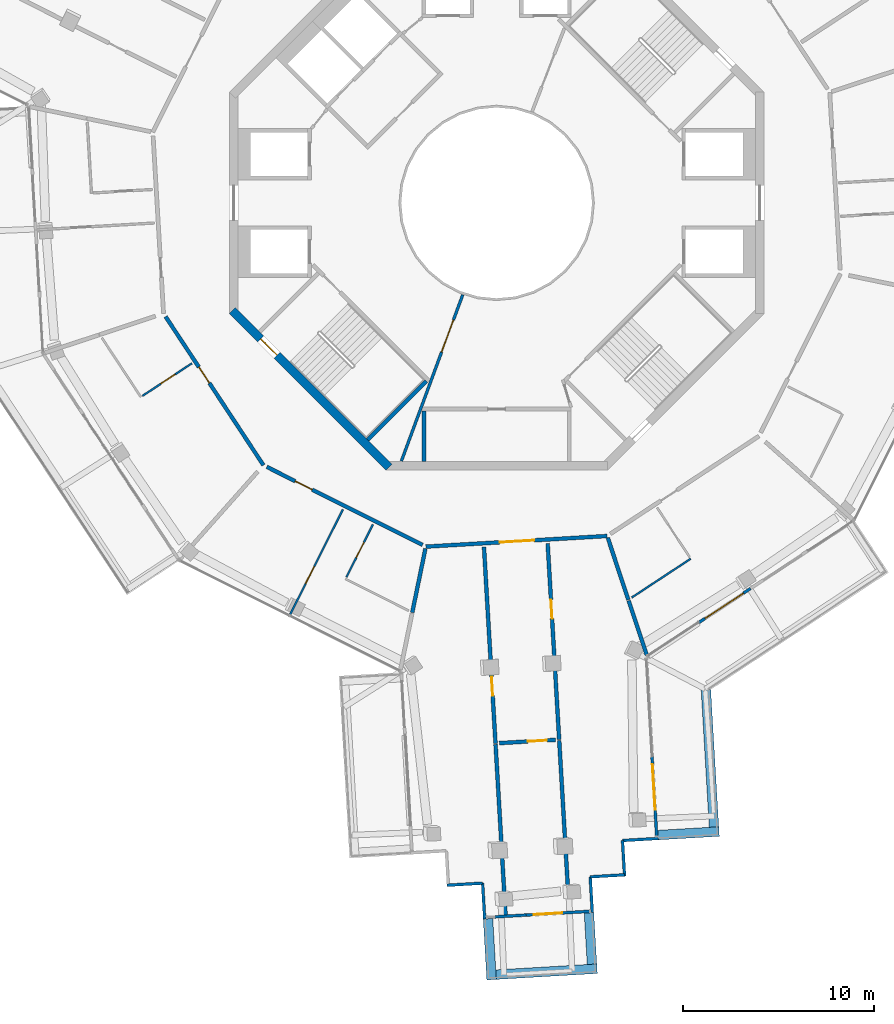
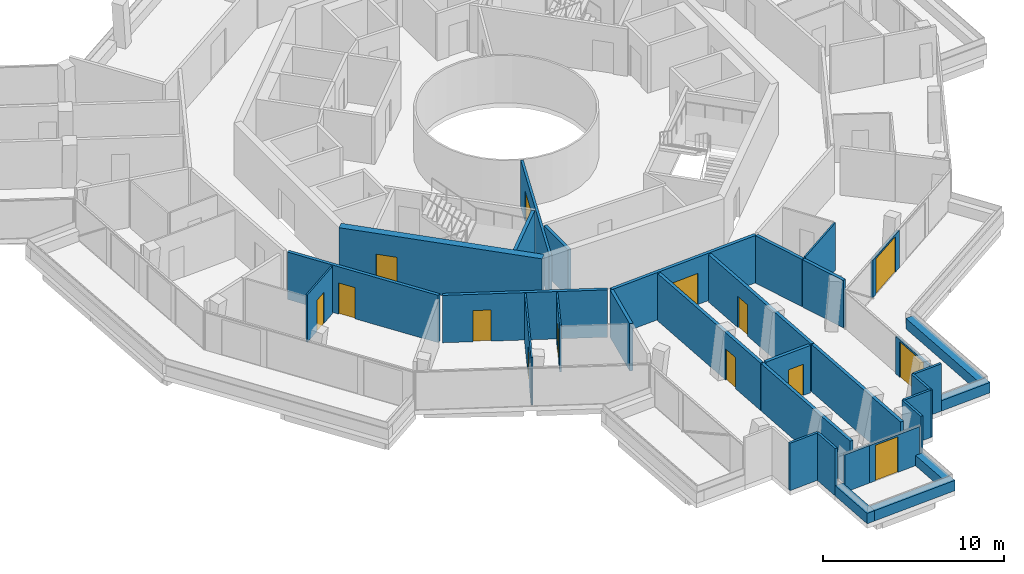
# One storey, part 18 of 26: 34 walls, 14 doors, 14 openings.
"""IFC4 building model written with IfcOpenShell, lengths in metres."""

from ifc_helpers import new_model, si_unit, direction, frame, frame_2d, origin, place, context, subcontext, project, spatial, rectangle, extrude, material, layer, layer_set, type_object, element, fill, save


model = new_model("IFC4")

# Units and contexts
model_context = context("Model", 3, precision=1e-05, world=origin(), true_north=direction((0.0, 1.0)))
body_context = subcontext(model_context, "Body", "Model", "MODEL_VIEW")
ifc_project = project(units=[si_unit("LENGTHUNIT", "METRE"), si_unit("AREAUNIT", "SQUARE_METRE"), si_unit("VOLUMEUNIT", "CUBIC_METRE"), si_unit("PLANEANGLEUNIT", "RADIAN"), si_unit("MASSUNIT", "GRAM", prefix="KILO")], contexts=[model_context])

# Site, building, storey
site_placement = place(None, origin())
site = spatial("IfcSite", under=ifc_project, at=site_placement, CompositionType="ELEMENT")
building_placement = place(site_placement, origin())
building = spatial("IfcBuilding", under=site, at=building_placement, Name="Verdalira Terraces Hotel", CompositionType="ELEMENT")
storey_placement = place(building_placement, frame((0.0, 0.0, 291.5)))
storey = spatial("IfcBuildingStorey", under=building, at=storey_placement, Name="L72", CompositionType="ELEMENT", Elevation=291.5)

# Walls
ifc_material_1 = material(Name="Concrete C40", Category="concrete")
ifc_layer_1 = layer(ifc_material_1, 0.5)
ifc_layer_set_1 = layer_set([ifc_layer_1], Name="Balcony planter trough with tree")
wall_type_1 = type_object("IfcWallType", Name="Balcony planter trough with tree", PredefinedType="SOLIDWALL", material=ifc_layer_set_1)
wall_1_placement = place(storey_placement, frame((-0.453125, -37.497803, 0.0), z_axis=(0.0, 0.0, 1.0), x_axis=(0.05861018, -0.998280946, 0.0)))
element("IfcWall", 1, at=wall_1_placement, inside=storey, type_object=wall_type_1, Name="Balcony planter", PredefinedType="SOLIDWALL", context=body_context, shape_type="SweptSolid", body=[
    extrude(rectangle(XDim=3.199219, YDim=0.5, at=frame_2d((1.599609, 0.0))), origin(), (0.0, 0.0, 1.0), 0.699951),
])
wall_2_placement = place(storey_placement, frame((-0.030762, -40.427002, 0.0), z_axis=(0.0, 0.0, 1.0), x_axis=(0.998281989, 0.058592409, 0.0)))
element("IfcWall", 2, at=wall_2_placement, inside=storey, type_object=wall_type_1, Name="Balcony planter", PredefinedType="SOLIDWALL", context=body_context, shape_type="SweptSolid", body=[
    extrude(rectangle(XDim=5.300049, YDim=0.5, at=frame_2d((2.649902, 0.0))), origin(), (0.0, 0.0, 1.0), 0.699951),
])
wall_3_placement = place(storey_placement, frame((4.996094, -39.881592, 0.0), z_axis=(0.0, 0.0, 1.0), x_axis=(-0.058615969, 0.998280606, 0.0)))
element("IfcWall", 3, at=wall_3_placement, inside=storey, type_object=wall_type_1, Name="Balcony planter", PredefinedType="SOLIDWALL", context=body_context, shape_type="SweptSolid", body=[
    extrude(rectangle(XDim=2.698975, YDim=0.5, at=frame_2d((1.349609, 0.0))), origin(), (0.0, 0.0, 1.0), 0.699951),
])
wall_4_placement = place(storey_placement, frame((8.456543, -33.117188, 0.0), z_axis=(0.0, 0.0, 1.0), x_axis=(0.998280684, 0.058614646, 0.0)))
element("IfcWall", 4, at=wall_4_placement, inside=storey, type_object=wall_type_1, Name="Balcony planter", PredefinedType="SOLIDWALL", context=body_context, shape_type="SweptSolid", body=[
    extrude(rectangle(XDim=3.198975, YDim=0.5, at=frame_2d((1.599609, 0.0))), origin(), (0.0, 0.0, 1.0), 0.699951),
])
wall_5_placement = place(storey_placement, frame((11.385742, -32.69458, 0.0), z_axis=(0.0, 0.0, 1.0), x_axis=(-0.058594804, 0.998281848, 0.0)))
element("IfcWall", 5, at=wall_5_placement, inside=storey, type_object=wall_type_1, Name="Balcony planter", PredefinedType="SOLIDWALL", context=body_context, shape_type="SweptSolid", body=[
    extrude(rectangle(XDim=7.199951, YDim=0.5, at=frame_2d((3.600098, 0.0))), origin(), (0.0, 0.0, 1.0), 0.699951),
])

# Wall, opening, door
ifc_material_2 = material(Name="Moisture-resistant gypsum board partition")
ifc_layer_2 = layer(ifc_material_2, 0.10009765625)
ifc_layer_set_2 = layer_set([ifc_layer_2], Name="Bathroom partition 100 mm")
wall_type_2 = type_object("IfcWallType", Name="Bathroom partition 100 mm", PredefinedType="PARTITIONING", material=ifc_layer_set_2)
wall_6_placement = place(storey_placement, frame((-18.55542, -10.111328, 0.0), z_axis=(0.0, 0.0, 1.0), x_axis=(0.835199098, 0.549947695, 0.0)))
wall_6 = element("IfcWall", 6, at=wall_6_placement, inside=storey, type_object=wall_type_2, Name="Bathroom partition", PredefinedType="PARTITIONING", context=body_context, shape_type="SweptSolid", body=[
    extrude(rectangle(XDim=3.100098, YDim=0.100098, at=frame_2d((1.550049, 0.0))), origin(), (0.0, 0.0, 1.0), 3.189941),
])
opening_1_placement = place(wall_6_placement, frame((1.149902, 0.0, 0.0)))
opening_1 = element("IfcOpeningElement", 7, at=opening_1_placement, cuts=wall_6, Name="Opening L72-109", PredefinedType="OPENING", context=body_context, shape_type="SweptSolid", body=[
    extrude(rectangle(XDim=0.899902, YDim=2.100098, at=frame_2d((0.449951, 1.050049))), frame((0.0, 0.060059, 0.0), z_axis=(0.0, -1.0, 0.0), x_axis=(1.0, 0.0, 0.0)), (0.0, 0.0, 1.0), 0.120117),
])
ifc_material_3 = material(Name="Timber door", Category="wood")
door_type_1 = type_object("IfcDoorType", Name="Bathroom door 900 x 2100", OperationType="NOTDEFINED", PredefinedType="DOOR", material=ifc_material_3)
door_1_placement = place(opening_1_placement, origin())
door_1 = element("IfcDoor", 8, at=door_1_placement, inside=storey, type_object=door_type_1, Name="Bathroom door 7203", OperationType="SINGLE_SWING_LEFT", OverallHeight=2.10009765625, OverallWidth=0.89990234375, PredefinedType="DOOR", context=body_context, shape_type="SweptSolid", body=[
    extrude(rectangle(XDim=0.899902, YDim=2.100098, at=frame_2d((0.449951, 1.050049))), frame((0.0, 0.024902, 0.0), z_axis=(0.0, -1.0, 0.0), x_axis=(1.0, 0.0, 0.0)), (0.0, 0.0, 1.0), 0.050049),
])
fill(opening_1, door_1)

wall_7_placement = place(storey_placement, frame((-8.052246, -16.052002, 0.0), z_axis=(0.0, 0.0, 1.0), x_axis=(-0.448388269, -0.89383889, 0.0)))
wall_7 = element("IfcWall", 9, at=wall_7_placement, inside=storey, type_object=wall_type_2, Name="Bathroom partition", PredefinedType="PARTITIONING", context=body_context, shape_type="SweptSolid", body=[
    extrude(rectangle(XDim=6.149902, YDim=0.100098, at=frame_2d((3.074951, 0.0))), origin(), (0.0, 0.0, 1.0), 3.189941),
])
opening_2_placement = place(wall_7_placement, frame((3.350098, 0.0, 0.0)))
opening_2 = element("IfcOpeningElement", 10, at=opening_2_placement, cuts=wall_7, Name="Opening L72-111", PredefinedType="OPENING", context=body_context, shape_type="SweptSolid", body=[
    extrude(rectangle(XDim=1.0, YDim=2.100098, at=frame_2d((0.5, 1.050049))), frame((0.0, 0.060059, 0.0), z_axis=(0.0, -1.0, 0.0), x_axis=(1.0, 0.0, 0.0)), (0.0, 0.0, 1.0), 0.120117),
])
ifc_material_4 = material(Name="Timber door", Category="wood")
door_type_2 = type_object("IfcDoorType", Name="Suite internal door 1000 x 2100", OperationType="NOTDEFINED", PredefinedType="DOOR", material=ifc_material_4)
door_2_placement = place(opening_2_placement, origin())
door_2 = element("IfcDoor", 11, at=door_2_placement, inside=storey, type_object=door_type_2, Name="Suite internal door 7204", OperationType="SINGLE_SWING_LEFT", OverallHeight=2.10009765625, OverallWidth=1.0, PredefinedType="DOOR", context=body_context, shape_type="SweptSolid", body=[
    extrude(rectangle(XDim=1.0, YDim=2.100098, at=frame_2d((0.5, 1.050049))), frame((0.0, 0.024902, 0.0), z_axis=(0.0, -1.0, 0.0), x_axis=(1.0, 0.0, 0.0)), (0.0, 0.0, 1.0), 0.050049),
])
fill(opening_2, door_2)

wall_8_placement = place(storey_placement, frame((-6.480469, -16.840332, 0.0), z_axis=(0.0, 0.0, 1.0), x_axis=(-0.448441781, -0.893812043, 0.0)))
wall_8 = element("IfcWall", 12, at=wall_8_placement, inside=storey, type_object=wall_type_2, Name="Bathroom partition", PredefinedType="PARTITIONING", context=body_context, shape_type="SweptSolid", body=[
    extrude(rectangle(XDim=3.099854, YDim=0.100098, at=frame_2d((1.549805, 0.0))), origin(), (0.0, 0.0, 1.0), 3.189941),
])
opening_3_placement = place(wall_8_placement, frame((1.050049, 0.0, 0.0)))
opening_3 = element("IfcOpeningElement", 13, at=opening_3_placement, cuts=wall_8, Name="Opening L72-112", PredefinedType="OPENING", context=body_context, shape_type="SweptSolid", body=[
    extrude(rectangle(XDim=0.899902, YDim=2.100098, at=frame_2d((0.449951, 1.050049))), frame((0.0, 0.060059, 0.0), z_axis=(0.0, -1.0, 0.0), x_axis=(1.0, 0.0, 0.0)), (0.0, 0.0, 1.0), 0.120117),
])
door_3_placement = place(opening_3_placement, origin())
door_3 = element("IfcDoor", 14, at=door_3_placement, inside=storey, type_object=door_type_1, Name="Bathroom door 7204", OperationType="SINGLE_SWING_RIGHT", OverallHeight=2.10009765625, OverallWidth=0.89990234375, PredefinedType="DOOR", context=body_context, shape_type="SweptSolid", body=[
    extrude(rectangle(XDim=0.899902, YDim=2.100098, at=frame_2d((0.449951, 1.050049))), frame((0.0, 0.024902, 0.0), z_axis=(0.0, -1.0, 0.0), x_axis=(1.0, 0.0, 0.0)), (0.0, 0.0, 1.0), 0.050049),
])
fill(opening_3, door_3)

# Walls
wall_9_placement = place(storey_placement, frame((10.16626, -18.638916, 0.0), z_axis=(0.0, 0.0, 1.0), x_axis=(-0.835230673, -0.54989974, 0.0)))
element("IfcWall", 15, at=wall_9_placement, inside=storey, type_object=wall_type_2, Name="Bathroom partition", PredefinedType="PARTITIONING", context=body_context, shape_type="SweptSolid", body=[
    extrude(rectangle(XDim=3.704102, YDim=0.100098, at=frame_2d((1.852051, 0.0))), origin(), (0.0, 0.0, 1.0), 3.189941),
])
ifc_material_5 = material(Name="Concrete C50", Category="concrete")
ifc_layer_3 = layer(ifc_material_5, 0.199951171875)
ifc_layer_set_3 = layer_set([ifc_layer_3], Name="Core RC wall 200 C50")
wall_type_3 = type_object("IfcWallType", Name="Core RC wall 200 C50", PredefinedType="SOLIDWALL", material=ifc_layer_set_3)
wall_10_placement = place(storey_placement, frame((-3.800049, -10.899902, 0.0), z_axis=(0.0, 0.0, 1.0), x_axis=(0.0, -1.0, 0.0)))
element("IfcWall", 16, at=wall_10_placement, inside=storey, type_object=wall_type_3, Name="L72 store side wall", PredefinedType="SOLIDWALL", context=body_context, shape_type="SweptSolid", body=[
    extrude(rectangle(XDim=2.650146, YDim=0.199951, at=frame_2d((1.325195, 0.0))), origin(), (0.0, 0.0, 1.0), 3.189941),
])
wall_11_placement = place(storey_placement, frame((-3.677002, -9.33374, 0.0), z_axis=(0.0, 0.0, 1.0), x_axis=(-0.707106781, -0.707106781, 0.0)))
element("IfcWall", 17, at=wall_11_placement, inside=storey, type_object=wall_type_3, Name="L72 stair ST2 end wall 2", PredefinedType="SOLIDWALL", context=body_context, shape_type="SweptSolid", body=[
    extrude(rectangle(XDim=4.350098, YDim=0.199951, at=frame_2d((2.175049, 0.0))), origin(), (0.0, 0.0, 1.0), 3.189941),
])

# Wall, opening, door
ifc_material_6 = material(Name="Gypsum board partition")
ifc_layer_4 = layer(ifc_material_6, 0.14990234375)
ifc_layer_set_4 = layer_set([ifc_layer_4], Name="Core partition 150 mm")
wall_type_4 = type_object("IfcWallType", Name="Core partition 150 mm", PredefinedType="PARTITIONING", material=ifc_layer_set_4)
wall_12_placement = place(storey_placement, frame((-1.775635, -4.812988, 0.0), z_axis=(0.0, 0.0, 1.0), x_axis=(-0.346114844, -0.938192152, 0.0)))
wall_12 = element("IfcWall", 18, at=wall_12_placement, inside=storey, type_object=wall_type_4, Name="Gallery fire partition L72", PredefinedType="PARTITIONING", context=body_context, shape_type="SweptSolid", body=[
    extrude(rectangle(XDim=9.282715, YDim=0.149902, at=frame_2d((4.641357, 0.0))), origin(), (0.0, 0.0, 1.0), 3.189941),
])
opening_4_placement = place(wall_12_placement, frame((1.399902, 0.0, 0.0)))
opening_4 = element("IfcOpeningElement", 19, at=opening_4_placement, cuts=wall_12, Name="Opening L72-824", PredefinedType="OPENING", context=body_context, shape_type="SweptSolid", body=[
    extrude(rectangle(XDim=1.800049, YDim=2.100098, at=frame_2d((0.899902, 1.050049))), frame((0.0, 0.084961, 0.0), z_axis=(0.0, -1.0, 0.0), x_axis=(1.0, 0.0, 0.0)), (0.0, 0.0, 1.0), 0.169922),
])
ifc_material_7 = material(Name="Steel fire door", Category="steel")
door_type_3 = type_object("IfcDoorType", Name="Gallery fire door pair 1800 x 2100", OperationType="NOTDEFINED", PredefinedType="DOOR", material=ifc_material_7)
door_4_placement = place(opening_4_placement, origin())
door_4 = element("IfcDoor", 20, at=door_4_placement, inside=storey, type_object=door_type_3, Name="Door L72 split5", OperationType="DOUBLE_DOOR_SINGLE_SWING", OverallHeight=2.10009765625, OverallWidth=1.800048828125, PredefinedType="DOOR", context=body_context, shape_type="SweptSolid", body=[
    extrude(rectangle(XDim=1.800049, YDim=2.100098, at=frame_2d((0.899902, 1.050049))), frame((0.0, 0.024902, 0.0), z_axis=(0.0, -1.0, 0.0), x_axis=(1.0, 0.0, 0.0)), (0.0, 0.0, 1.0), 0.050049),
])
fill(opening_4, door_4)

ifc_material_8 = material(Name="Concrete C50", Category="concrete")
ifc_layer_5 = layer(ifc_material_8, 0.449951171875)
ifc_layer_set_5 = layer_set([ifc_layer_5], Name="Core wall 450 C50")
wall_type_5 = type_object("IfcWallType", Name="Core wall 450 C50", PredefinedType="SHEAR", material=ifc_layer_set_5)
wall_13_placement = place(storey_placement, frame((-13.84082, -5.639893, 0.0), z_axis=(0.0, 0.0, 1.0), x_axis=(0.707106781, -0.707106781, 0.0)))
wall_13 = element("IfcWall", 21, at=wall_13_placement, inside=storey, type_object=wall_type_5, Name="Core wall CW-L72-6", PredefinedType="SHEAR", context=body_context, shape_type="SweptSolid", body=[
    extrude(rectangle(XDim=11.5979, YDim=0.449951, at=frame_2d((5.798828, 0.0))), origin(), (0.0, 0.0, 1.0), 3.5),
])
opening_5_placement = place(wall_13_placement, frame((2.099121, 0.0, 0.0)))
opening_5 = element("IfcOpeningElement", 22, at=opening_5_placement, cuts=wall_13, Name="Opening L72-817", PredefinedType="OPENING", context=body_context, shape_type="SweptSolid", body=[
    extrude(rectangle(XDim=1.199951, YDim=2.100098, at=frame_2d((0.600098, 1.050049))), frame((0.0, 0.234863, 0.0), z_axis=(0.0, -1.0, 0.0), x_axis=(1.0, 0.0, 0.0)), (0.0, 0.0, 1.0), 0.469971),
])
ifc_material_9 = material(Name="Steel fire door", Category="steel")
door_type_4 = type_object("IfcDoorType", Name="Stair door 1200 x 2100", OperationType="NOTDEFINED", PredefinedType="DOOR", material=ifc_material_9)
door_5_placement = place(opening_5_placement, origin())
door_5 = element("IfcDoor", 23, at=door_5_placement, inside=storey, type_object=door_type_4, Name="Stair exit door ST2 L72", OperationType="SINGLE_SWING_LEFT", OverallHeight=2.10009765625, OverallWidth=1.199951171875, PredefinedType="DOOR", context=body_context, shape_type="SweptSolid", body=[
    extrude(rectangle(XDim=1.199951, YDim=2.100098, at=frame_2d((0.600098, 1.050049))), frame((0.0, 0.024902, 0.0), z_axis=(0.0, -1.0, 0.0), x_axis=(1.0, 0.0, 0.0)), (0.0, 0.0, 1.0), 0.050049),
])
fill(opening_5, door_5)

# Wall
ifc_material_10 = material(Name="Fire-rated gypsum board wall")
ifc_layer_6 = layer(ifc_material_10, 0.199951171875)
ifc_layer_set_6 = layer_set([ifc_layer_6], Name="Demising wall 200 mm")
wall_type_6 = type_object("IfcWallType", Name="Demising wall 200 mm", PredefinedType="SOLIDWALL", material=ifc_layer_set_6)
wall_14_placement = place(storey_placement, frame((-4.419922, -21.456299, 0.0), z_axis=(0.0, 0.0, 1.0), x_axis=(0.201757706, 0.979435464, 0.0)))
element("IfcWall", 24, at=wall_14_placement, inside=storey, type_object=wall_type_6, Name="Demising wall", PredefinedType="SOLIDWALL", context=body_context, shape_type="SweptSolid", body=[
    extrude(rectangle(XDim=3.418457, YDim=0.199951, at=frame_2d((1.709229, 0.0))), origin(), (0.0, 0.0, 1.0), 3.189941),
])

# Wall, opening, door
wall_15_placement = place(storey_placement, frame((-0.05957, -28.3125, 0.0), z_axis=(0.0, 0.0, 1.0), x_axis=(-0.058606715, 0.998281149, 0.0)))
wall_15 = element("IfcWall", 25, at=wall_15_placement, inside=storey, type_object=wall_type_6, Name="Demising wall", PredefinedType="SOLIDWALL", context=body_context, shape_type="SweptSolid", body=[
    extrude(rectangle(XDim=10.302002, YDim=0.199951, at=frame_2d((5.150879, 0.0))), origin(), (0.0, 0.0, 1.0), 3.189941),
])
opening_6_placement = place(wall_15_placement, frame((2.5, 0.0, 0.0)))
opening_6 = element("IfcOpeningElement", 26, at=opening_6_placement, cuts=wall_15, Name="Opening L72-114", PredefinedType="OPENING", context=body_context, shape_type="SweptSolid", body=[
    extrude(rectangle(XDim=1.0, YDim=2.100098, at=frame_2d((0.5, 1.050049))), frame((0.0, 0.109863, 0.0), z_axis=(0.0, -1.0, 0.0), x_axis=(1.0, 0.0, 0.0)), (0.0, 0.0, 1.0), 0.219971),
])
ifc_material_11 = material(Name="Timber fire door", Category="wood")
door_type_5 = type_object("IfcDoorType", Name="Public room door 1000 x 2100", OperationType="NOTDEFINED", PredefinedType="DOOR", material=ifc_material_11)
door_6_placement = place(opening_6_placement, origin())
door_6 = element("IfcDoor", 27, at=door_6_placement, inside=storey, type_object=door_type_5, Name="Public room door 7205", OperationType="SINGLE_SWING_LEFT", OverallHeight=2.10009765625, OverallWidth=1.0, PredefinedType="DOOR", context=body_context, shape_type="SweptSolid", body=[
    extrude(rectangle(XDim=1.0, YDim=2.100098, at=frame_2d((0.5, 1.050049))), frame((0.0, 0.024902, 0.0), z_axis=(0.0, -1.0, 0.0), x_axis=(1.0, 0.0, 0.0)), (0.0, 0.0, 1.0), 0.050049),
])
fill(opening_6, door_6)

# Wall
wall_16_placement = place(storey_placement, frame((-0.056885, -28.358398, 0.0), z_axis=(0.0, 0.0, 1.0), x_axis=(0.058624473, -0.998280107, 0.0)))
element("IfcWall", 28, at=wall_16_placement, inside=storey, type_object=wall_type_6, Name="Demising wall", PredefinedType="SOLIDWALL", context=body_context, shape_type="SweptSolid", body=[
    extrude(rectangle(XDim=8.949463, YDim=0.199951, at=frame_2d((4.474609, 0.0))), origin(), (0.0, 0.0, 1.0), 3.189941),
])

# Wall, opening, door
wall_17_placement = place(storey_placement, frame((3.076172, -28.126465, 0.0), z_axis=(0.0, 0.0, 1.0), x_axis=(-0.998281521, -0.058600379, 0.0)))
wall_17 = element("IfcWall", 29, at=wall_17_placement, inside=storey, type_object=wall_type_6, Name="Demising wall", PredefinedType="SOLIDWALL", context=body_context, shape_type="SweptSolid", body=[
    extrude(rectangle(XDim=2.941406, YDim=0.199951, at=frame_2d((1.470703, 0.0))), origin(), (0.0, 0.0, 1.0), 3.189941),
])
opening_7_placement = place(wall_17_placement, frame((0.449951, 0.0, 0.0)))
opening_7 = element("IfcOpeningElement", 30, at=opening_7_placement, cuts=wall_17, Name="Opening L72-116", PredefinedType="OPENING", context=body_context, shape_type="SweptSolid", body=[
    extrude(rectangle(XDim=1.0, YDim=2.100098, at=frame_2d((0.5, 1.050049))), frame((0.0, 0.109863, 0.0), z_axis=(0.0, -1.0, 0.0), x_axis=(1.0, 0.0, 0.0)), (0.0, 0.0, 1.0), 0.219971),
])
door_7_placement = place(opening_7_placement, origin())
door_7 = element("IfcDoor", 31, at=door_7_placement, inside=storey, type_object=door_type_5, Name="Public room door 7205", OperationType="SINGLE_SWING_LEFT", OverallHeight=2.10009765625, OverallWidth=1.0, PredefinedType="DOOR", context=body_context, shape_type="SweptSolid", body=[
    extrude(rectangle(XDim=1.0, YDim=2.100098, at=frame_2d((0.5, 1.050049))), frame((0.0, 0.024902, 0.0), z_axis=(0.0, -1.0, 0.0), x_axis=(1.0, 0.0, 0.0)), (0.0, 0.0, 1.0), 0.050049),
])
fill(opening_7, door_7)

wall_18_placement = place(storey_placement, frame((2.672119, -17.83252, 0.0), z_axis=(0.0, 0.0, 1.0), x_axis=(0.058606715, -0.998281149, 0.0)))
wall_18 = element("IfcWall", 32, at=wall_18_placement, inside=storey, type_object=wall_type_6, Name="Demising wall", PredefinedType="SOLIDWALL", context=body_context, shape_type="SweptSolid", body=[
    extrude(rectangle(XDim=10.302002, YDim=0.199951, at=frame_2d((5.150879, 0.0))), origin(), (0.0, 0.0, 1.0), 3.189941),
])
opening_8_placement = place(wall_18_placement, frame((2.949951, 0.0, 0.0)))
opening_8 = element("IfcOpeningElement", 33, at=opening_8_placement, cuts=wall_18, Name="Opening L72-115", PredefinedType="OPENING", context=body_context, shape_type="SweptSolid", body=[
    extrude(rectangle(XDim=1.0, YDim=2.100098, at=frame_2d((0.5, 1.050049))), frame((0.0, 0.109863, 0.0), z_axis=(0.0, -1.0, 0.0), x_axis=(1.0, 0.0, 0.0)), (0.0, 0.0, 1.0), 0.219971),
])
door_8_placement = place(opening_8_placement, origin())
door_8 = element("IfcDoor", 34, at=door_8_placement, inside=storey, type_object=door_type_5, Name="Public room door 7205", OperationType="SINGLE_SWING_LEFT", OverallHeight=2.10009765625, OverallWidth=1.0, PredefinedType="DOOR", context=body_context, shape_type="SweptSolid", body=[
    extrude(rectangle(XDim=1.0, YDim=2.100098, at=frame_2d((0.5, 1.050049))), frame((0.0, 0.024902, 0.0), z_axis=(0.0, -1.0, 0.0), x_axis=(1.0, 0.0, 0.0)), (0.0, 0.0, 1.0), 0.050049),
])
fill(opening_8, door_8)

# Walls
wall_19_placement = place(storey_placement, frame((3.802979, -37.09668, 0.0), z_axis=(0.0, 0.0, 1.0), x_axis=(-0.058597286, 0.998281703, 0.0)))
element("IfcWall", 35, at=wall_19_placement, inside=storey, type_object=wall_type_6, Name="Demising wall", PredefinedType="SOLIDWALL", context=body_context, shape_type="SweptSolid", body=[
    extrude(rectangle(XDim=8.949463, YDim=0.199951, at=frame_2d((4.474609, 0.0))), origin(), (0.0, 0.0, 1.0), 3.189941),
])
wall_20_placement = place(storey_placement, frame((5.823486, -17.547119, 0.0), z_axis=(0.0, 0.0, 1.0), x_axis=(0.31502768, -0.949082484, 0.0)))
element("IfcWall", 36, at=wall_20_placement, inside=storey, type_object=wall_type_6, Name="Demising wall", PredefinedType="SOLIDWALL", context=body_context, shape_type="SweptSolid", body=[
    extrude(rectangle(XDim=3.418457, YDim=0.199951, at=frame_2d((1.709229, 0.0))), origin(), (0.0, 0.0, 1.0), 3.189941),
])
wall_21_placement = place(storey_placement, frame((6.914795, -20.835205, 0.0), z_axis=(0.0, 0.0, 1.0), x_axis=(0.31496277, -0.949104027, 0.0)))
element("IfcWall", 37, at=wall_21_placement, inside=storey, type_object=wall_type_6, Name="Demising wall", PredefinedType="SOLIDWALL", context=body_context, shape_type="SweptSolid", body=[
    extrude(rectangle(XDim=3.011475, YDim=0.199951, at=frame_2d((1.505859, 0.0))), origin(), (0.0, 0.0, 1.0), 3.189941),
])

# Wall, opening, door
ifc_material_12 = material(Name="Fire-rated gypsum board wall")
ifc_layer_7 = layer(ifc_material_12, 0.199951171875)
ifc_layer_set_7 = layer_set([ifc_layer_7], Name="Guest corridor wall 200 mm")
wall_type_7 = type_object("IfcWallType", Name="Guest corridor wall 200 mm", PredefinedType="SOLIDWALL", material=ifc_layer_set_7)
wall_22_placement = place(storey_placement, frame((-12.21582, -13.739502, 0.0), z_axis=(0.0, 0.0, 1.0), x_axis=(-0.549889366, 0.835237502, 0.0)))
wall_22 = element("IfcWall", 38, at=wall_22_placement, inside=storey, type_object=wall_type_7, Name="Guest corridor wall", PredefinedType="SOLIDWALL", context=body_context, shape_type="SweptSolid", body=[
    extrude(rectangle(XDim=9.316406, YDim=0.199951, at=frame_2d((4.658203, 0.0))), origin(), (0.0, 0.0, 1.0), 3.189941),
])
opening_9_placement = place(wall_22_placement, frame((5.149902, 0.0, 0.0)))
opening_9 = element("IfcOpeningElement", 39, at=opening_9_placement, cuts=wall_22, Name="Opening L72-108", PredefinedType="OPENING", context=body_context, shape_type="SweptSolid", body=[
    extrude(rectangle(XDim=1.0, YDim=2.100098, at=frame_2d((0.5, 1.050049))), frame((0.0, 0.109863, 0.0), z_axis=(0.0, -1.0, 0.0), x_axis=(1.0, 0.0, 0.0)), (0.0, 0.0, 1.0), 0.219971),
])
ifc_material_13 = material(Name="Timber fire door", Category="wood")
door_type_6 = type_object("IfcDoorType", Name="Guest entry door 1000 x 2100", OperationType="NOTDEFINED", PredefinedType="DOOR", material=ifc_material_13)
door_9_placement = place(opening_9_placement, origin())
door_9 = element("IfcDoor", 40, at=door_9_placement, inside=storey, type_object=door_type_6, Name="Guest entry door 7203", OperationType="SINGLE_SWING_LEFT", OverallHeight=2.10009765625, OverallWidth=1.0, PredefinedType="DOOR", context=body_context, shape_type="SweptSolid", body=[
    extrude(rectangle(XDim=1.0, YDim=2.100098, at=frame_2d((0.5, 1.050049))), frame((0.0, 0.024902, 0.0), z_axis=(0.0, -1.0, 0.0), x_axis=(1.0, 0.0, 0.0)), (0.0, 0.0, 1.0), 0.050049),
])
fill(opening_9, door_9)

wall_23_placement = place(storey_placement, frame((-3.888184, -17.916992, 0.0), z_axis=(0.0, 0.0, 1.0), x_axis=(-0.893848004, 0.448370098, 0.0)))
wall_23 = element("IfcWall", 41, at=wall_23_placement, inside=storey, type_object=wall_type_7, Name="Guest corridor wall", PredefinedType="SOLIDWALL", context=body_context, shape_type="SweptSolid", body=[
    extrude(rectangle(XDim=9.116699, YDim=0.199951, at=frame_2d((4.55835, 0.0))), origin(), (0.0, 0.0, 1.0), 3.189941),
])
opening_10_placement = place(wall_23_placement, frame((6.458252, 0.0, 0.0)))
opening_10 = element("IfcOpeningElement", 42, at=opening_10_placement, cuts=wall_23, Name="Opening L72-110", PredefinedType="OPENING", context=body_context, shape_type="SweptSolid", body=[
    extrude(rectangle(XDim=1.0, YDim=2.100098, at=frame_2d((0.5, 1.050049))), frame((0.0, 0.109863, 0.0), z_axis=(0.0, -1.0, 0.0), x_axis=(1.0, 0.0, 0.0)), (0.0, 0.0, 1.0), 0.219971),
])
door_10_placement = place(opening_10_placement, origin())
door_10 = element("IfcDoor", 43, at=door_10_placement, inside=storey, type_object=door_type_6, Name="Guest entry door 7204", OperationType="SINGLE_SWING_LEFT", OverallHeight=2.10009765625, OverallWidth=1.0, PredefinedType="DOOR", context=body_context, shape_type="SweptSolid", body=[
    extrude(rectangle(XDim=1.0, YDim=2.100098, at=frame_2d((0.5, 1.050049))), frame((0.0, 0.024902, 0.0), z_axis=(0.0, -1.0, 0.0), x_axis=(1.0, 0.0, 0.0)), (0.0, 0.0, 1.0), 0.050049),
])
fill(opening_10, door_10)

wall_24_placement = place(storey_placement, frame((5.791016, -17.448975, 0.0), z_axis=(0.0, 0.0, 1.0), x_axis=(-0.998281884, -0.058594193, 0.0)))
wall_24 = element("IfcWall", 44, at=wall_24_placement, inside=storey, type_object=wall_type_7, Name="Guest corridor wall", PredefinedType="SOLIDWALL", context=body_context, shape_type="SweptSolid", body=[
    extrude(rectangle(XDim=9.516602, YDim=0.199951, at=frame_2d((4.758301, 0.0))), origin(), (0.0, 0.0, 1.0), 3.189941),
])
opening_11_placement = place(wall_24_placement, frame((3.835938, 0.0, 0.0)))
opening_11 = element("IfcOpeningElement", 45, at=opening_11_placement, cuts=wall_24, Name="Opening L72-113", PredefinedType="OPENING", context=body_context, shape_type="SweptSolid", body=[
    extrude(rectangle(XDim=1.800049, YDim=2.100098, at=frame_2d((0.899902, 1.050049))), frame((0.0, 0.109863, 0.0), z_axis=(0.0, -1.0, 0.0), x_axis=(1.0, 0.0, 0.0)), (0.0, 0.0, 1.0), 0.219971),
])
ifc_material_14 = material(Name="Timber fire door", Category="wood")
door_type_7 = type_object("IfcDoorType", Name="Public room double door 1800 x 2100", OperationType="NOTDEFINED", PredefinedType="DOOR", material=ifc_material_14)
door_11_placement = place(opening_11_placement, origin())
door_11 = element("IfcDoor", 46, at=door_11_placement, inside=storey, type_object=door_type_7, Name="Public room double door 7205", OperationType="DOUBLE_DOOR_SINGLE_SWING", OverallHeight=2.10009765625, OverallWidth=1.800048828125, PredefinedType="DOOR", context=body_context, shape_type="SweptSolid", body=[
    extrude(rectangle(XDim=1.800049, YDim=2.100098, at=frame_2d((0.899902, 1.050049))), frame((0.0, 0.024902, 0.0), z_axis=(0.0, -1.0, 0.0), x_axis=(1.0, 0.0, 0.0)), (0.0, 0.0, 1.0), 0.050049),
])
fill(opening_11, door_11)

# Walls
ifc_material_15 = material(Name="Terracotta cladding", Category="masonry")
ifc_layer_8 = layer(ifc_material_15, 0.14990234375)
ifc_layer_set_8 = layer_set([ifc_layer_8], Name="Terracotta clad wall 150")
wall_type_8 = type_object("IfcWallType", Name="Terracotta clad wall 150", PredefinedType="SOLIDWALL", material=ifc_layer_set_8)
wall_25_placement = place(storey_placement, frame((-2.609375, -35.745117, 0.0), z_axis=(0.0, 0.0, 1.0), x_axis=(0.99828155, 0.058599882, 0.0)))
element("IfcWall", 47, at=wall_25_placement, inside=storey, type_object=wall_type_8, Name="Terracotta cladding wall", PredefinedType="SOLIDWALL", context=body_context, shape_type="SweptSolid", body=[
    extrude(rectangle(XDim=1.874756, YDim=0.149902, at=frame_2d((0.9375, 0.0))), origin(), (0.0, 0.0, 1.0), 3.189941),
])
for number, where, z_axis, x_axis, name in (
    (48, (-0.737793, -35.635254, 0.0), (0.0, 0.0, 1.0), (0.058592265, -0.998281997, 0.0), "Terracotta cladding wall"),
    (49, (5.012451, -37.176025, 0.0), (0.0, 0.0, 1.0), (-0.058592265, 0.998281997, 0.0), "Terracotta cladding wall"),
):
    element("IfcWall", number, at=place(storey_placement, frame(where, z_axis=z_axis, x_axis=x_axis)), inside=storey, type_object=wall_type_8, Name=name, PredefinedType="SOLIDWALL", context=body_context, shape_type="SweptSolid", body=[
        extrude(rectangle(XDim=1.875, YDim=0.149902, at=frame_2d((0.9375, 0.0))), origin(), (0.0, 0.0, 1.0), 3.189941),
    ])
wall_26_placement = place(storey_placement, frame((4.902588, -35.304199, 0.0), z_axis=(0.0, 0.0, 1.0), x_axis=(0.998281848, 0.058594804, 0.0)))
element("IfcWall", 50, at=wall_26_placement, inside=storey, type_object=wall_type_8, Name="Terracotta cladding wall", PredefinedType="SOLIDWALL", context=body_context, shape_type="SweptSolid", body=[
    extrude(rectangle(XDim=1.800049, YDim=0.149902, at=frame_2d((0.899902, 0.0))), origin(), (0.0, 0.0, 1.0), 3.189941),
])
wall_27_placement = place(storey_placement, frame((6.703857, -35.273438, 0.0), z_axis=(0.0, 0.0, 1.0), x_axis=(-0.058599882, 0.99828155, 0.0)))
element("IfcWall", 51, at=wall_27_placement, inside=storey, type_object=wall_type_8, Name="Terracotta cladding wall", PredefinedType="SOLIDWALL", context=body_context, shape_type="SweptSolid", body=[
    extrude(rectangle(XDim=1.874756, YDim=0.149902, at=frame_2d((0.9375, 0.0))), origin(), (0.0, 0.0, 1.0), 3.189941),
])
wall_28_placement = place(storey_placement, frame((6.593994, -33.401855, 0.0), z_axis=(0.0, 0.0, 1.0), x_axis=(0.998274373, 0.058722022, 0.0)))
element("IfcWall", 52, at=wall_28_placement, inside=storey, type_object=wall_type_8, Name="Terracotta cladding wall", PredefinedType="SOLIDWALL", context=body_context, shape_type="SweptSolid", body=[
    extrude(rectangle(XDim=1.875, YDim=0.149902, at=frame_2d((0.9375, 0.0))), origin(), (0.0, 0.0, 1.0), 3.189941),
])
ifc_material_16 = material(Name="Terracotta cladding", Category="masonry")
ifc_layer_9 = layer(ifc_material_16, 0.14990234375)
ifc_layer_set_9 = layer_set([ifc_layer_9], Name="Terracotta column pier 150")
wall_type_9 = type_object("IfcWallType", Name="Terracotta column pier 150", PredefinedType="SOLIDWALL", material=ifc_layer_set_9)
wall_29_placement = place(storey_placement, frame((-0.078125, -37.399658, 0.0), z_axis=(0.0, 0.0, 1.0), x_axis=(0.998283657, 0.058563977, 0.0)))
element("IfcWall", 53, at=wall_29_placement, inside=storey, type_object=wall_type_9, Name="Terracotta column pier", PredefinedType="SOLIDWALL", context=body_context, shape_type="SweptSolid", body=[
    extrude(rectangle(XDim=1.629883, YDim=0.149902, at=frame_2d((0.814941, 0.0))), origin(), (0.0, 0.0, 1.0), 2.524902),
])

# Wall, opening, door
ifc_material_17 = material(Name="Terracotta cladding", Category="masonry")
ifc_layer_10 = layer(ifc_material_17, 0.14990234375)
ifc_layer_set_10 = layer_set([ifc_layer_10], Name="Terracotta door pier 150")
wall_type_10 = type_object("IfcWallType", Name="Terracotta door pier 150", PredefinedType="SOLIDWALL", material=ifc_layer_set_10)
wall_30_placement = place(storey_placement, frame((1.549072, -37.304199, 0.0), z_axis=(0.0, 0.0, 1.0), x_axis=(0.998279202, 0.058639867, 0.0)))
wall_30 = element("IfcWall", 54, at=wall_30_placement, inside=storey, type_object=wall_type_10, Name="Terracotta door pier", PredefinedType="SOLIDWALL", context=body_context, shape_type="SweptSolid", body=[
    extrude(rectangle(XDim=3.309814, YDim=0.149902, at=frame_2d((1.654785, 0.0))), origin(), (0.0, 0.0, 1.0), 2.524902),
])
opening_12_placement = place(wall_30_placement, frame((0.399902, 0.0, 0.0)))
opening_12 = element("IfcOpeningElement", 55, at=opening_12_placement, cuts=wall_30, Name="Opening L72-B06", PredefinedType="OPENING", context=body_context, shape_type="SweptSolid", body=[
    extrude(rectangle(XDim=1.5, YDim=2.399902, at=frame_2d((0.75, 1.199951))), frame((0.0, 0.084961, 0.0), z_axis=(0.0, -1.0, 0.0), x_axis=(1.0, 0.0, 0.0)), (0.0, 0.0, 1.0), 0.169922),
])
ifc_material_18 = material(Name="Clear glass", Category="glass")
door_type_8 = type_object("IfcDoorType", Name="Balcony sliding door 1500x2400", OperationType="NOTDEFINED", PredefinedType="DOOR", material=ifc_material_18)
door_12_placement = place(opening_12_placement, origin())
door_12 = element("IfcDoor", 56, at=door_12_placement, inside=storey, type_object=door_type_8, Name="Balcony sliding door", OperationType="SLIDING_TO_RIGHT", OverallHeight=2.39990234375, OverallWidth=1.5, PredefinedType="DOOR", context=body_context, shape_type="SweptSolid", body=[
    extrude(rectangle(XDim=1.5, YDim=2.399902, at=frame_2d((0.75, 1.199951))), frame((0.0, 0.024902, 0.0), z_axis=(0.0, -1.0, 0.0), x_axis=(1.0, 0.0, 0.0)), (0.0, 0.0, 1.0), 0.050049),
])
fill(opening_12, door_12)

wall_31_placement = place(storey_placement, frame((8.382324, -33.151611, 0.0), z_axis=(0.0, 0.0, 1.0), x_axis=(-0.058570647, 0.998283266, 0.0)))
wall_31 = element("IfcWall", 57, at=wall_31_placement, inside=storey, type_object=wall_type_10, Name="Terracotta door pier", PredefinedType="SOLIDWALL", context=body_context, shape_type="SweptSolid", body=[
    extrude(rectangle(XDim=4.159912, YDim=0.149902, at=frame_2d((2.080078, 0.0))), origin(), (0.0, 0.0, 1.0), 2.524902),
])
opening_13_placement = place(wall_31_placement, frame((1.360107, 0.0, 0.0)))
opening_13 = element("IfcOpeningElement", 58, at=opening_13_placement, cuts=wall_31, Name="Opening L72-B07", PredefinedType="OPENING", context=body_context, shape_type="SweptSolid", body=[
    extrude(rectangle(XDim=2.399902, YDim=2.399902, at=frame_2d((1.199951, 1.199951))), frame((0.0, 0.084961, 0.0), z_axis=(0.0, -1.0, 0.0), x_axis=(1.0, 0.0, 0.0)), (0.0, 0.0, 1.0), 0.169922),
])
ifc_material_19 = material(Name="Clear glass", Category="glass")
door_type_9 = type_object("IfcDoorType", Name="Balcony sliding door 2400x2400", OperationType="NOTDEFINED", PredefinedType="DOOR", material=ifc_material_19)
door_13_placement = place(opening_13_placement, origin())
door_13 = element("IfcDoor", 59, at=door_13_placement, inside=storey, type_object=door_type_9, Name="Balcony sliding door", OperationType="SLIDING_TO_LEFT", OverallHeight=2.39990234375, OverallWidth=2.39990234375, PredefinedType="DOOR", context=body_context, shape_type="SweptSolid", body=[
    extrude(rectangle(XDim=2.399902, YDim=2.399902, at=frame_2d((1.199951, 1.199951))), frame((0.0, 0.024902, 0.0), z_axis=(0.0, -1.0, 0.0), x_axis=(1.0, 0.0, 0.0)), (0.0, 0.0, 1.0), 0.050049),
])
fill(opening_13, door_13)

wall_32_placement = place(storey_placement, frame((10.58374, -21.98584, 0.0), z_axis=(0.0, 0.0, 1.0), x_axis=(0.835249124, 0.549871714, 0.0)))
wall_32 = element("IfcWall", 60, at=wall_32_placement, inside=storey, type_object=wall_type_10, Name="Terracotta door pier", PredefinedType="SOLIDWALL", context=body_context, shape_type="SweptSolid", body=[
    extrude(rectangle(XDim=3.25, YDim=0.149902, at=frame_2d((1.625, 0.0))), origin(), (0.0, 0.0, 1.0), 2.524902),
])
opening_14_placement = place(wall_32_placement, frame((0.399902, 0.0, 0.0)))
opening_14 = element("IfcOpeningElement", 61, at=opening_14_placement, cuts=wall_32, Name="Opening L72-B08", PredefinedType="OPENING", context=body_context, shape_type="SweptSolid", body=[
    extrude(rectangle(XDim=2.399902, YDim=2.399902, at=frame_2d((1.199951, 1.199951))), frame((0.0, 0.084961, 0.0), z_axis=(0.0, -1.0, 0.0), x_axis=(1.0, 0.0, 0.0)), (0.0, 0.0, 1.0), 0.169922),
])
door_14_placement = place(opening_14_placement, origin())
door_14 = element("IfcDoor", 62, at=door_14_placement, inside=storey, type_object=door_type_9, Name="Balcony sliding door", OperationType="SLIDING_TO_RIGHT", OverallHeight=2.39990234375, OverallWidth=2.39990234375, PredefinedType="DOOR", context=body_context, shape_type="SweptSolid", body=[
    extrude(rectangle(XDim=2.399902, YDim=2.399902, at=frame_2d((1.199951, 1.199951))), frame((0.0, 0.024902, 0.0), z_axis=(0.0, -1.0, 0.0), x_axis=(1.0, 0.0, 0.0)), (0.0, 0.0, 1.0), 0.050049),
])
fill(opening_14, door_14)

save(model, "model.ifc")
